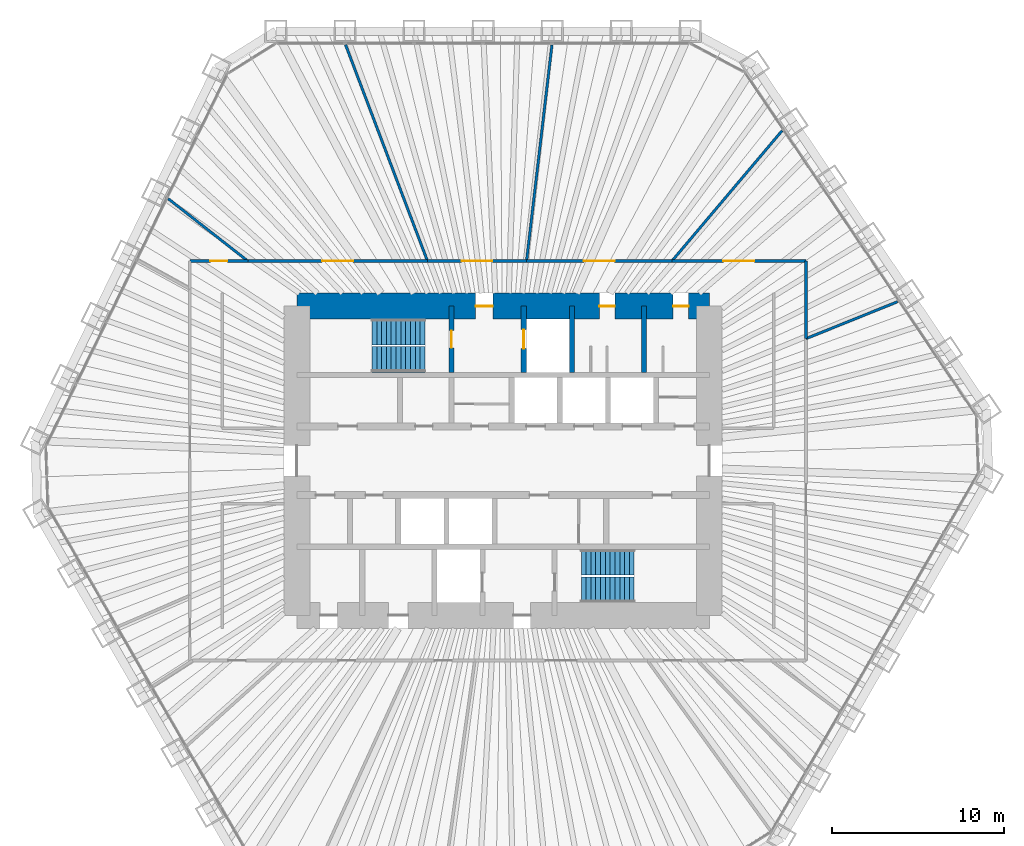
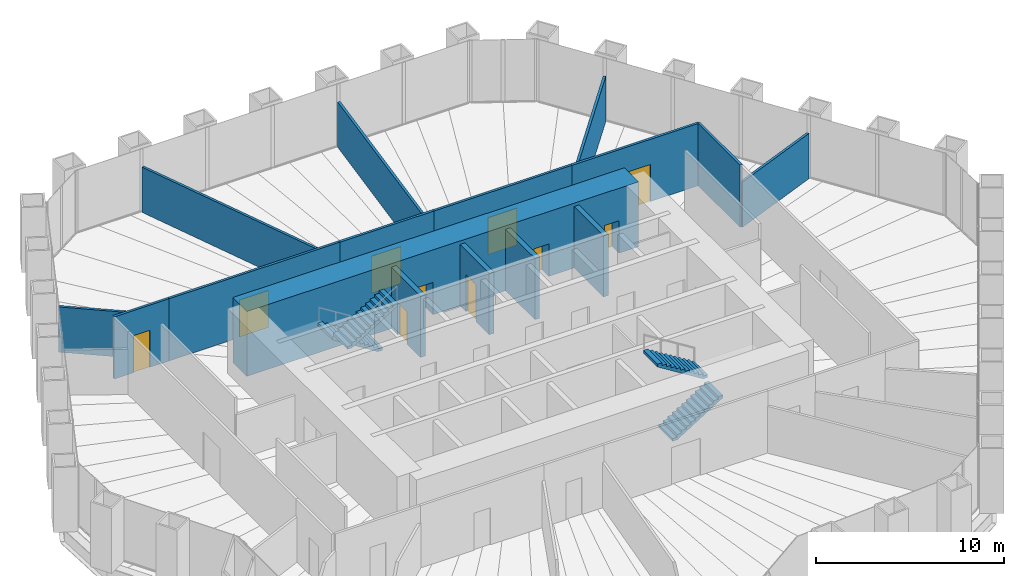
# One storey, part 12 of 13: 16 walls, 10 doors, 4 stair flights, 10 openings, 2 elements without a shape of their own.
"""IFC4 building model written with IfcOpenShell, lengths in metres."""

from ifc_helpers import new_model, si_unit, direction, frame, frame_2d, origin, place, context, subcontext, project, spatial, polyline, rectangle, outline, extrude, material, layer, layer_set, type_object, element, fill, aggregate, save


model = new_model("IFC4")

# Units and contexts
model_context = context("Model", 3, precision=1e-05, world=origin(), true_north=direction((0.0, 1.0)))
body_context = subcontext(model_context, "Body", "Model", "MODEL_VIEW")
ifc_project = project(units=[si_unit("LENGTHUNIT", "METRE"), si_unit("AREAUNIT", "SQUARE_METRE"), si_unit("VOLUMEUNIT", "CUBIC_METRE"), si_unit("PLANEANGLEUNIT", "RADIAN"), si_unit("MASSUNIT", "GRAM", prefix="KILO")], contexts=[model_context])

# Site, building, storey
site_placement = place(None, origin())
site = spatial("IfcSite", under=ifc_project, at=site_placement, CompositionType="ELEMENT")
building_placement = place(site_placement, origin())
building = spatial("IfcBuilding", under=site, at=building_placement, Name="Qingtian Harvest Tower", CompositionType="ELEMENT")
storey_placement = place(building_placement, frame((0.0, 0.0, 166.0)))
storey = spatial("IfcBuildingStorey", under=building, at=storey_placement, Name="L35", CompositionType="ELEMENT", Elevation=166.0)

# Wall, opening, door
ifc_material_1 = material(Name="Precast concrete shaft panel", Category="concrete")
ifc_layer_1 = layer(ifc_material_1, 0.300048828125)
ifc_layer_set_1 = layer_set([ifc_layer_1], Name="Core shaft partition SW1 300")
wall_type_1 = type_object("IfcWallType", Name="Core shaft partition SW1 300", PredefinedType="PARTITIONING", material=ifc_layer_set_1)
wall_1_placement = place(storey_placement, frame((-3.0, 5.14990234375, 0.0), z_axis=(0.0, 0.0, 1.0), x_axis=(0.0, 1.0, 0.0)))
wall_1 = element("IfcWall", 1, at=wall_1_placement, inside=storey, type_object=wall_type_1, Name="Core shaft partition XN1 L35", PredefinedType="PARTITIONING", context=body_context, shape_type="SweptSolid", body=[
    extrude(rectangle(XDim=3.85009765625, YDim=0.300048828125, at=frame_2d((1.925048828125, 0.0))), origin(), (0.0, 0.0, 1.0), 3.97998046875),
])
opening_1_placement = place(wall_1_placement, frame((1.425048828125, 0.0, 0.0)))
opening_1 = element("IfcOpeningElement", 2, at=opening_1_placement, cuts=wall_1, Name="Opening FD1", PredefinedType="OPENING", context=body_context, shape_type="SweptSolid", body=[
    extrude(rectangle(XDim=1.0, YDim=2.10009765625, at=frame_2d((0.5, 1.050048828125))), frame((0.0, 0.159912109375, 0.0), z_axis=(0.0, -1.0, 0.0), x_axis=(1.0, 0.0, 0.0)), (0.0, 0.0, 1.0), 0.320068359375),
])
ifc_material_2 = material(Name="Steel-faced door leaf", Category="steel")
door_type_1 = type_object("IfcDoorType", Name="Fire door FD1 single 1 HR", OperationType="SINGLE_SWING_LEFT", PredefinedType="DOOR", material=ifc_material_2)
door_1_placement = place(opening_1_placement, origin())
door_1 = element("IfcDoor", 3, at=door_1_placement, inside=storey, type_object=door_type_1, Name="S1 door L35", OperationType="SINGLE_SWING_LEFT", OverallHeight=2.10009765625, OverallWidth=1.0, PredefinedType="DOOR", context=body_context, shape_type="SweptSolid", body=[
    extrude(rectangle(XDim=1.0, YDim=2.10009765625, at=frame_2d((0.5, 1.050048828125))), frame((0.0, 0.02490234375, 0.0), z_axis=(0.0, -1.0, 0.0), x_axis=(1.0, 0.0, 0.0)), (0.0, 0.0, 1.0), 0.050048828125),
])
fill(opening_1, door_1)

wall_2_placement = place(storey_placement, frame((1.199951171875, 5.14990234375, 0.0), z_axis=(0.0, 0.0, 1.0), x_axis=(0.0, 1.0, 0.0)))
wall_2 = element("IfcWall", 4, at=wall_2_placement, inside=storey, type_object=wall_type_1, Name="Core shaft partition XN2 L35", PredefinedType="PARTITIONING", context=body_context, shape_type="SweptSolid", body=[
    extrude(rectangle(XDim=3.85009765625, YDim=0.300048828125, at=frame_2d((1.925048828125, 0.0))), origin(), (0.0, 0.0, 1.0), 3.97998046875),
])
opening_2_placement = place(wall_2_placement, frame((1.375, 0.0, 0.0)))
opening_2 = element("IfcOpeningElement", 5, at=opening_2_placement, cuts=wall_2, Name="Opening LD1", PredefinedType="OPENING", context=body_context, shape_type="SweptSolid", body=[
    extrude(rectangle(XDim=1.10009765625, YDim=2.39990234375, at=frame_2d((0.550048828125, 1.199951171875))), frame((0.0, 0.159912109375, 0.0), z_axis=(0.0, -1.0, 0.0), x_axis=(1.0, 0.0, 0.0)), (0.0, 0.0, 1.0), 0.320068359375),
])
ifc_material_3 = material(Name="Stainless steel lift landing door", Category="steel")
door_type_2 = type_object("IfcDoorType", Name="Lift landing door LD1 1 HR", OperationType="DOUBLE_DOOR_SLIDING", PredefinedType="DOOR", material=ifc_material_3)
door_2_placement = place(opening_2_placement, origin())
door_2 = element("IfcDoor", 6, at=door_2_placement, inside=storey, type_object=door_type_2, Name="FL1 landing door L35", OperationType="DOUBLE_DOOR_SLIDING", OverallHeight=2.39990234375, OverallWidth=1.10009765625, PredefinedType="DOOR", context=body_context, shape_type="SweptSolid", body=[
    extrude(rectangle(XDim=1.10009765625, YDim=2.39990234375, at=frame_2d((0.550048828125, 1.199951171875))), frame((0.0, 0.02490234375, 0.0), z_axis=(0.0, -1.0, 0.0), x_axis=(1.0, 0.0, 0.0)), (0.0, 0.0, 1.0), 0.050048828125),
])
fill(opening_2, door_2)

# Walls
for number, where, z_axis, x_axis, name in (
    (7, (4.0, 5.14990234375, 0.0), (0.0, 0.0, 1.0), (0.0, 1.0, 0.0), "Core shaft partition XN3 L35"),
    (8, (8.199951171875, 5.14990234375, 0.0), (0.0, 0.0, 1.0), (0.0, 1.0, 0.0), "Core shaft partition XN4 L35"),
):
    element("IfcWall", number, at=place(storey_placement, frame(where, z_axis=z_axis, x_axis=x_axis)), inside=storey, type_object=wall_type_1, Name=name, PredefinedType="PARTITIONING", context=body_context, shape_type="SweptSolid", body=[
        extrude(rectangle(XDim=3.85009765625, YDim=0.300048828125, at=frame_2d((1.925048828125, 0.0))), origin(), (0.0, 0.0, 1.0), 3.97998046875),
    ])

# Wall, openings, doors
ifc_material_4 = material(Name="Concrete fc' 70 MPa", Category="concrete")
ifc_layer_2 = layer(ifc_material_4, 1.5)
ifc_layer_set_2 = layer_set([ifc_layer_2], Name="Core wall RC1 1500")
wall_type_2 = type_object("IfcWallType", Name="Core wall RC1 1500", PredefinedType="SHEAR", material=ifc_layer_set_2)
wall_3_placement = place(storey_placement, frame((-12.0, 9.0, 0.0), z_axis=(0.0, 0.0, 1.0), x_axis=(1.0, 0.0, 0.0)))
wall_3 = element("IfcWall", 9, at=wall_3_placement, inside=storey, type_object=wall_type_2, Name="Core wall CN L35", PredefinedType="SHEAR", context=body_context, shape_type="SweptSolid", body=[
    extrude(rectangle(XDim=24.0, YDim=1.5, at=frame_2d((12.0, 0.0))), origin(), (0.0, 0.0, 1.0), 4.199951171875),
])
opening_3_placement = place(wall_3_placement, frame((10.39990234375, 0.0, 0.0)))
opening_3 = element("IfcOpeningElement", 10, at=opening_3_placement, cuts=wall_3, Name="Opening FD1", PredefinedType="OPENING", context=body_context, shape_type="SweptSolid", body=[
    extrude(rectangle(XDim=1.0, YDim=2.10009765625, at=frame_2d((0.5, 1.050048828125))), frame((0.0, 0.760009765625, 0.0), z_axis=(0.0, -1.0, 0.0), x_axis=(1.0, 0.0, 0.0)), (0.0, 0.0, 1.0), 1.52001953125),
])
opening_4_placement = place(wall_3_placement, frame((17.60009765625, 0.0, 0.0)))
opening_4 = element("IfcOpeningElement", 11, at=opening_4_placement, cuts=wall_3, Name="Opening D1", PredefinedType="OPENING", context=body_context, shape_type="SweptSolid", body=[
    extrude(rectangle(XDim=0.89990234375, YDim=2.10009765625, at=frame_2d((0.449951171875, 1.050048828125))), frame((0.0, 0.760009765625, 0.0), z_axis=(0.0, -1.0, 0.0), x_axis=(1.0, 0.0, 0.0)), (0.0, 0.0, 1.0), 1.52001953125),
])
opening_5_placement = place(wall_3_placement, frame((21.89990234375, 0.0, 0.0)))
opening_5 = element("IfcOpeningElement", 12, at=opening_5_placement, cuts=wall_3, Name="Opening D1", PredefinedType="OPENING", context=body_context, shape_type="SweptSolid", body=[
    extrude(rectangle(XDim=0.89990234375, YDim=2.10009765625, at=frame_2d((0.449951171875, 1.050048828125))), frame((0.0, 0.760009765625, 0.0), z_axis=(0.0, -1.0, 0.0), x_axis=(1.0, 0.0, 0.0)), (0.0, 0.0, 1.0), 1.52001953125),
])
door_3_placement = place(opening_3_placement, origin())
door_3 = element("IfcDoor", 13, at=door_3_placement, inside=storey, type_object=door_type_1, Name="V1 door L35", OperationType="SINGLE_SWING_RIGHT", OverallHeight=2.10009765625, OverallWidth=1.0, PredefinedType="DOOR", context=body_context, shape_type="SweptSolid", body=[
    extrude(rectangle(XDim=1.0, YDim=2.10009765625, at=frame_2d((0.5, 1.050048828125))), frame((0.0, 0.02490234375, 0.0), z_axis=(0.0, -1.0, 0.0), x_axis=(1.0, 0.0, 0.0)), (0.0, 0.0, 1.0), 0.050048828125),
])
fill(opening_3, door_3)
ifc_material_5 = material(Name="Laminated timber door leaf", Category="wood")
door_type_3 = type_object("IfcDoorType", Name="Toilet door D1 single", OperationType="SINGLE_SWING_LEFT", PredefinedType="DOOR", material=ifc_material_5)
door_4_placement = place(opening_4_placement, origin())
door_4 = element("IfcDoor", 14, at=door_4_placement, inside=storey, type_object=door_type_3, Name="WCM door L35", OperationType="SINGLE_SWING_LEFT", OverallHeight=2.10009765625, OverallWidth=0.89990234375, PredefinedType="DOOR", context=body_context, shape_type="SweptSolid", body=[
    extrude(rectangle(XDim=0.89990234375, YDim=2.10009765625, at=frame_2d((0.449951171875, 1.050048828125))), frame((0.0, 0.02490234375, 0.0), z_axis=(0.0, -1.0, 0.0), x_axis=(1.0, 0.0, 0.0)), (0.0, 0.0, 1.0), 0.050048828125),
])
fill(opening_4, door_4)
door_5_placement = place(opening_5_placement, origin())
door_5 = element("IfcDoor", 15, at=door_5_placement, inside=storey, type_object=door_type_3, Name="WCF door L35", OperationType="SINGLE_SWING_LEFT", OverallHeight=2.10009765625, OverallWidth=0.89990234375, PredefinedType="DOOR", context=body_context, shape_type="SweptSolid", body=[
    extrude(rectangle(XDim=0.89990234375, YDim=2.10009765625, at=frame_2d((0.449951171875, 1.050048828125))), frame((0.0, 0.02490234375, 0.0), z_axis=(0.0, -1.0, 0.0), x_axis=(1.0, 0.0, 0.0)), (0.0, 0.0, 1.0), 0.050048828125),
])
fill(opening_5, door_5)

# Wall
ifc_material_6 = material(Name="Gypsum board on steel studs", Category="steel")
ifc_layer_3 = layer(ifc_material_6, 0.14990234375)
ifc_layer_set_3 = layer_set([ifc_layer_3], Name="Partition PT1 150")
wall_type_3 = type_object("IfcWallType", Name="Partition PT1 150", PredefinedType="PARTITIONING", material=ifc_layer_set_3)
wall_4_placement = place(storey_placement, frame((2.843017578125, 24.20068359375, 0.0), z_axis=(0.0, 0.0, 1.0), x_axis=(-0.116670084723, -0.993170726175, 0.0)))
element("IfcWall", 16, at=wall_4_placement, inside=storey, type_object=wall_type_3, Name="Meeting room wall L35", PredefinedType="PARTITIONING", context=body_context, shape_type="SweptSolid", body=[
    extrude(rectangle(XDim=12.662109375, YDim=0.14990234375, at=frame_2d((6.3310546875, 0.0))), origin(), (0.0, 0.0, 1.0), 2.929931640625),
])

# Wall, opening, door
wall_5_placement = place(storey_placement, frame((1.36572265625, 11.625, 0.0), z_axis=(0.0, 0.0, 1.0), x_axis=(1.0, 0.0, 0.0)))
wall_5 = element("IfcWall", 17, at=wall_5_placement, inside=storey, type_object=wall_type_3, Name="Meeting room wall L35", PredefinedType="PARTITIONING", context=body_context, shape_type="SweptSolid", body=[
    extrude(rectangle(XDim=8.460205078125, YDim=0.14990234375, at=frame_2d((4.22998046875, 0.0))), origin(), (0.0, 0.0, 1.0), 4.030029296875),
])
opening_6_placement = place(wall_5_placement, frame((3.330078125, 0.0, 0.0)))
opening_6 = element("IfcOpeningElement", 18, at=opening_6_placement, cuts=wall_5, Name="Opening D3", PredefinedType="OPENING", context=body_context, shape_type="SweptSolid", body=[
    extrude(rectangle(XDim=1.800048828125, YDim=2.39990234375, at=frame_2d((0.89990234375, 1.199951171875))), frame((0.0, 0.0849609375, 0.0), z_axis=(0.0, -1.0, 0.0), x_axis=(1.0, 0.0, 0.0)), (0.0, 0.0, 1.0), 0.169921875),
])
ifc_material_7 = material(Name="Laminated timber door leaf", Category="wood")
door_type_4 = type_object("IfcDoorType", Name="Room door D3 double", OperationType="DOUBLE_DOOR_DOUBLE_SWING", PredefinedType="DOOR", material=ifc_material_7)
door_6_placement = place(opening_6_placement, origin())
door_6 = element("IfcDoor", 19, at=door_6_placement, inside=storey, type_object=door_type_4, Name="Meeting room door L35", OperationType="DOUBLE_DOOR_DOUBLE_SWING", OverallHeight=2.39990234375, OverallWidth=1.800048828125, PredefinedType="DOOR", context=body_context, shape_type="SweptSolid", body=[
    extrude(rectangle(XDim=1.800048828125, YDim=2.39990234375, at=frame_2d((0.89990234375, 1.199951171875))), frame((0.0, 0.02490234375, 0.0), z_axis=(0.0, -1.0, 0.0), x_axis=(1.0, 0.0, 0.0)), (0.0, 0.0, 1.0), 0.050048828125),
])
fill(opening_6, door_6)

# Wall
wall_6_placement = place(storey_placement, frame((16.2373046875, 19.21044921875, 0.0), z_axis=(0.0, 0.0, 1.0), x_axis=(-0.645526723652, -0.763737683404, 0.0)))
element("IfcWall", 20, at=wall_6_placement, inside=storey, type_object=wall_type_3, Name="Meeting room wall L35", PredefinedType="PARTITIONING", context=body_context, shape_type="SweptSolid", body=[
    extrude(rectangle(XDim=9.93212890625, YDim=0.14990234375, at=frame_2d((4.966064453125, 0.0))), origin(), (0.0, 0.0, 1.0), 2.929931640625),
])

# Wall, opening, door
wall_7_placement = place(storey_placement, frame((9.825927734375, 11.625, 0.0), z_axis=(0.0, 0.0, 1.0), x_axis=(1.0, 0.0, 0.0)))
wall_7 = element("IfcWall", 21, at=wall_7_placement, inside=storey, type_object=wall_type_3, Name="Meeting room wall L35", PredefinedType="PARTITIONING", context=body_context, shape_type="SweptSolid", body=[
    extrude(rectangle(XDim=7.799072265625, YDim=0.14990234375, at=frame_2d((3.8994140625, 0.0))), origin(), (0.0, 0.0, 1.0), 4.030029296875),
])
opening_7_placement = place(wall_7_placement, frame((2.99951171875, 0.0, 0.0)))
opening_7 = element("IfcOpeningElement", 22, at=opening_7_placement, cuts=wall_7, Name="Opening D3", PredefinedType="OPENING", context=body_context, shape_type="SweptSolid", body=[
    extrude(rectangle(XDim=1.800048828125, YDim=2.39990234375, at=frame_2d((0.89990234375, 1.199951171875))), frame((0.0, 0.0849609375, 0.0), z_axis=(0.0, -1.0, 0.0), x_axis=(1.0, 0.0, 0.0)), (0.0, 0.0, 1.0), 0.169921875),
])
door_7_placement = place(opening_7_placement, origin())
door_7 = element("IfcDoor", 23, at=door_7_placement, inside=storey, type_object=door_type_4, Name="Meeting room door L35", OperationType="DOUBLE_DOOR_DOUBLE_SWING", OverallHeight=2.39990234375, OverallWidth=1.800048828125, PredefinedType="DOOR", context=body_context, shape_type="SweptSolid", body=[
    extrude(rectangle(XDim=1.800048828125, YDim=2.39990234375, at=frame_2d((0.89990234375, 1.199951171875))), frame((0.0, 0.02490234375, 0.0), z_axis=(0.0, -1.0, 0.0), x_axis=(1.0, 0.0, 0.0)), (0.0, 0.0, 1.0), 0.050048828125),
])
fill(opening_7, door_7)

# Walls
wall_8_placement = place(storey_placement, frame((17.625, 11.625, 0.0), z_axis=(0.0, 0.0, 1.0), x_axis=(0.0, -1.0, 0.0)))
element("IfcWall", 24, at=wall_8_placement, inside=storey, type_object=wall_type_3, Name="Meeting room wall L35", PredefinedType="PARTITIONING", context=body_context, shape_type="SweptSolid", body=[
    extrude(rectangle(XDim=4.51904296875, YDim=0.14990234375, at=frame_2d((2.259521484375, 0.0))), origin(), (0.0, 0.0, 1.0), 4.030029296875),
])
wall_9_placement = place(storey_placement, frame((22.951416015625, 9.253662109375, 0.0), z_axis=(0.0, 0.0, 1.0), x_axis=(-0.927444087873, -0.373961848147, 0.0)))
element("IfcWall", 25, at=wall_9_placement, inside=storey, type_object=wall_type_3, Name="Office suite wall L35", PredefinedType="PARTITIONING", context=body_context, shape_type="SweptSolid", body=[
    extrude(rectangle(XDim=5.7431640625, YDim=0.14990234375, at=frame_2d((2.87158203125, 0.0))), origin(), (0.0, 0.0, 1.0), 2.929931640625),
])

# Wall, opening, door
wall_10_placement = place(storey_placement, frame((-18.22509765625, 11.625, 0.0), z_axis=(0.0, 0.0, 1.0), x_axis=(1.0, 0.0, 0.0)))
wall_10 = element("IfcWall", 26, at=wall_10_placement, inside=storey, type_object=wall_type_3, Name="Store room wall L35", PredefinedType="PARTITIONING", context=body_context, shape_type="SweptSolid", body=[
    extrude(rectangle(XDim=3.367919921875, YDim=0.14990234375, at=frame_2d((1.68408203125, 0.0))), origin(), (0.0, 0.0, 1.0), 4.030029296875),
])
opening_8_placement = place(wall_10_placement, frame((1.18408203125, 0.0, 0.0)))
opening_8 = element("IfcOpeningElement", 27, at=opening_8_placement, cuts=wall_10, Name="Opening D2", PredefinedType="OPENING", context=body_context, shape_type="SweptSolid", body=[
    extrude(rectangle(XDim=1.0, YDim=2.39990234375, at=frame_2d((0.5, 1.199951171875))), frame((0.0, 0.0849609375, 0.0), z_axis=(0.0, -1.0, 0.0), x_axis=(1.0, 0.0, 0.0)), (0.0, 0.0, 1.0), 0.169921875),
])
ifc_material_8 = material(Name="Laminated timber door leaf", Category="wood")
door_type_5 = type_object("IfcDoorType", Name="Room door D2 single", OperationType="SINGLE_SWING_LEFT", PredefinedType="DOOR", material=ifc_material_8)
door_8_placement = place(opening_8_placement, origin())
door_8 = element("IfcDoor", 28, at=door_8_placement, inside=storey, type_object=door_type_5, Name="Store room door L35", OperationType="SINGLE_SWING_LEFT", OverallHeight=2.39990234375, OverallWidth=1.0, PredefinedType="DOOR", context=body_context, shape_type="SweptSolid", body=[
    extrude(rectangle(XDim=1.0, YDim=2.39990234375, at=frame_2d((0.5, 1.199951171875))), frame((0.0, 0.02490234375, 0.0), z_axis=(0.0, -1.0, 0.0), x_axis=(1.0, 0.0, 0.0)), (0.0, 0.0, 1.0), 0.050048828125),
])
fill(opening_8, door_8)

# Wall
wall_11_placement = place(storey_placement, frame((-19.489501953125, 15.249755859375, 0.0), z_axis=(0.0, 0.0, 1.0), x_axis=(0.787549668605, -0.616251182133, 0.0)))
element("IfcWall", 29, at=wall_11_placement, inside=storey, type_object=wall_type_3, Name="Office suite wall L35", PredefinedType="PARTITIONING", context=body_context, shape_type="SweptSolid", body=[
    extrude(rectangle(XDim=5.8818359375, YDim=0.14990234375, at=frame_2d((2.94091796875, 0.0))), origin(), (0.0, 0.0, 1.0), 2.929931640625),
])

# Wall, opening, door
wall_12_placement = place(storey_placement, frame((-14.857177734375, 11.625, 0.0), z_axis=(0.0, 0.0, 1.0), x_axis=(1.0, 0.0, 0.0)))
wall_12 = element("IfcWall", 30, at=wall_12_placement, inside=storey, type_object=wall_type_3, Name="Office suite wall L35", PredefinedType="PARTITIONING", context=body_context, shape_type="SweptSolid", body=[
    extrude(rectangle(XDim=10.45458984375, YDim=0.14990234375, at=frame_2d((5.227294921875, 0.0))), origin(), (0.0, 0.0, 1.0), 4.030029296875),
])
opening_9_placement = place(wall_12_placement, frame((4.327392578125, 0.0, 0.0)))
opening_9 = element("IfcOpeningElement", 31, at=opening_9_placement, cuts=wall_12, Name="Opening D3", PredefinedType="OPENING", context=body_context, shape_type="SweptSolid", body=[
    extrude(rectangle(XDim=1.800048828125, YDim=2.39990234375, at=frame_2d((0.89990234375, 1.199951171875))), frame((0.0, 0.0849609375, 0.0), z_axis=(0.0, -1.0, 0.0), x_axis=(1.0, 0.0, 0.0)), (0.0, 0.0, 1.0), 0.169921875),
])
door_9_placement = place(opening_9_placement, origin())
door_9 = element("IfcDoor", 32, at=door_9_placement, inside=storey, type_object=door_type_4, Name="Office suite door L35", OperationType="DOUBLE_DOOR_DOUBLE_SWING", OverallHeight=2.39990234375, OverallWidth=1.800048828125, PredefinedType="DOOR", context=body_context, shape_type="SweptSolid", body=[
    extrude(rectangle(XDim=1.800048828125, YDim=2.39990234375, at=frame_2d((0.89990234375, 1.199951171875))), frame((0.0, 0.02490234375, 0.0), z_axis=(0.0, -1.0, 0.0), x_axis=(1.0, 0.0, 0.0)), (0.0, 0.0, 1.0), 0.050048828125),
])
fill(opening_9, door_9)

# Wall
wall_13_placement = place(storey_placement, frame((-9.167236328125, 24.20654296875, 0.0), z_axis=(0.0, 0.0, 1.0), x_axis=(0.354156368181, -0.935186220427, 0.0)))
element("IfcWall", 33, at=wall_13_placement, inside=storey, type_object=wall_type_3, Name="Office suite wall L35", PredefinedType="PARTITIONING", context=body_context, shape_type="SweptSolid", body=[
    extrude(rectangle(XDim=13.45361328125, YDim=0.14990234375, at=frame_2d((6.726806640625, 0.0))), origin(), (0.0, 0.0, 1.0), 2.929931640625),
])

# Wall, opening, door
wall_14_placement = place(storey_placement, frame((-4.402587890625, 11.625, 0.0), z_axis=(0.0, 0.0, 1.0), x_axis=(1.0, 0.0, 0.0)))
wall_14 = element("IfcWall", 34, at=wall_14_placement, inside=storey, type_object=wall_type_3, Name="Office suite wall L35", PredefinedType="PARTITIONING", context=body_context, shape_type="SweptSolid", body=[
    extrude(rectangle(XDim=5.768310546875, YDim=0.14990234375, at=frame_2d((2.88427734375, 0.0))), origin(), (0.0, 0.0, 1.0), 4.030029296875),
])
opening_10_placement = place(wall_14_placement, frame((1.984130859375, 0.0, 0.0)))
opening_10 = element("IfcOpeningElement", 35, at=opening_10_placement, cuts=wall_14, Name="Opening D3", PredefinedType="OPENING", context=body_context, shape_type="SweptSolid", body=[
    extrude(rectangle(XDim=1.800048828125, YDim=2.39990234375, at=frame_2d((0.89990234375, 1.199951171875))), frame((0.0, 0.0849609375, 0.0), z_axis=(0.0, -1.0, 0.0), x_axis=(1.0, 0.0, 0.0)), (0.0, 0.0, 1.0), 0.169921875),
])
door_10_placement = place(opening_10_placement, origin())
door_10 = element("IfcDoor", 36, at=door_10_placement, inside=storey, type_object=door_type_4, Name="Office suite door L35", OperationType="DOUBLE_DOOR_DOUBLE_SWING", OverallHeight=2.39990234375, OverallWidth=1.800048828125, PredefinedType="DOOR", context=body_context, shape_type="SweptSolid", body=[
    extrude(rectangle(XDim=1.800048828125, YDim=2.39990234375, at=frame_2d((0.89990234375, 1.199951171875))), frame((0.0, 0.02490234375, 0.0), z_axis=(0.0, -1.0, 0.0), x_axis=(1.0, 0.0, 0.0)), (0.0, 0.0, 1.0), 0.050048828125),
])
fill(opening_10, door_10)

# Stair, stair flights
ifc_material_9 = material(Name="Concrete fc' 35 MPa", Category="concrete")
stair_type = type_object("IfcStairType", Name="Special stair ST3 4200", PredefinedType="HALF_TURN_STAIR", material=ifc_material_9)
stair_1_placement = place(storey_placement, origin())
stair_1 = element("IfcStair", 37, at=stair_1_placement, inside=storey, type_object=stair_type, Name="Special stair S1 L35", PredefinedType="HALF_TURN_STAIR")
ifc_material_10 = material(Name="Concrete fc' 35 MPa", Category="concrete")
stair_flight_type = type_object("IfcStairFlightType", Name="Stair flight SF3 4200", PredefinedType="STRAIGHT", material=ifc_material_10)
stair_flight_1_placement = place(storey_placement, frame((-4.550048828125, 7.5, 0.0), z_axis=(0.0, 0.0, 1.0), x_axis=(-1.0, 0.0, 0.0)))
stair_flight_1 = element("IfcStairFlight", 38, at=stair_flight_1_placement, type_object=stair_flight_type, Name="S1 flight 1", NumberOfRisers=12, NumberOfTreads=11, PredefinedType="STRAIGHT", RiserHeight=0.175, TreadLength=0.28, context=body_context, shape_type="SweptSolid", body=[
    extrude(outline(polyline([(0.0, 0.0), (0.0, 0.175048828125), (0.280029296875, 0.175048828125), (0.280029296875, 0.35009765625), (0.56005859375, 0.35009765625), (0.56005859375, 0.52490234375), (0.840087890625, 0.52490234375), (0.840087890625, 0.699951171875), (1.1201171875, 0.699951171875), (1.1201171875, 0.875), (1.39990234375, 0.875), (1.39990234375, 1.050048828125), (1.679931640625, 1.050048828125), (1.679931640625, 1.22509765625), (1.9599609375, 1.22509765625), (1.9599609375, 1.39990234375), (2.239990234375, 1.39990234375), (2.239990234375, 1.574951171875), (2.52001953125, 1.574951171875), (2.52001953125, 1.75), (2.800048828125, 1.75), (2.800048828125, 1.925048828125), (3.080078125, 1.925048828125), (3.080078125, 2.10009765625), (3.080078125, 1.748291015625), (0.28271484375, 0.0), (0.0, 0.0)])), frame((0.0, 0.75, 0.0), z_axis=(0.0, -1.0, 0.0), x_axis=(1.0, 0.0, 0.0)), (0.0, 0.0, 1.0), 1.5),
])
stair_flight_2_placement = place(storey_placement, frame((-7.6298828125, 5.89990234375, 2.10009765625), z_axis=(0.0, 0.0, 1.0), x_axis=(1.0, 0.0, 0.0)))
stair_flight_2 = element("IfcStairFlight", 39, at=stair_flight_2_placement, type_object=stair_flight_type, Name="S1 flight 2", NumberOfRisers=12, NumberOfTreads=11, PredefinedType="STRAIGHT", RiserHeight=0.175, TreadLength=0.28, context=body_context, shape_type="SweptSolid", body=[
    extrude(outline(polyline([(0.0, 0.0), (0.0, 0.175048828125), (0.280029296875, 0.175048828125), (0.280029296875, 0.35009765625), (0.56005859375, 0.35009765625), (0.56005859375, 0.52490234375), (0.840087890625, 0.52490234375), (0.840087890625, 0.699951171875), (1.1201171875, 0.699951171875), (1.1201171875, 0.875), (1.39990234375, 0.875), (1.39990234375, 1.050048828125), (1.679931640625, 1.050048828125), (1.679931640625, 1.22509765625), (1.9599609375, 1.22509765625), (1.9599609375, 1.39990234375), (2.239990234375, 1.39990234375), (2.239990234375, 1.574951171875), (2.52001953125, 1.574951171875), (2.52001953125, 1.75), (2.800048828125, 1.75), (2.800048828125, 1.925048828125), (3.080078125, 1.925048828125), (3.080078125, 2.10009765625), (3.080078125, 1.748291015625), (0.28271484375, 0.0), (0.0, 0.0)])), frame((0.0, 0.75, 0.0), z_axis=(0.0, -1.0, 0.0), x_axis=(1.0, 0.0, 0.0)), (0.0, 0.0, 1.0), 1.5),
])
aggregate(stair_1, [stair_flight_1, stair_flight_2])

stair_2_placement = place(storey_placement, origin())
stair_2 = element("IfcStair", 40, at=stair_2_placement, inside=storey, type_object=stair_type, Name="Special stair S2 L35", PredefinedType="HALF_TURN_STAIR")
stair_flight_3_placement = place(storey_placement, frame((4.550048828125, -7.5, 0.0), z_axis=(0.0, 0.0, 1.0), x_axis=(1.0, 0.0, 0.0)))
stair_flight_3 = element("IfcStairFlight", 41, at=stair_flight_3_placement, type_object=stair_flight_type, Name="S2 flight 1", NumberOfRisers=12, NumberOfTreads=11, PredefinedType="STRAIGHT", RiserHeight=0.175, TreadLength=0.28, context=body_context, shape_type="SweptSolid", body=[
    extrude(outline(polyline([(0.0, 0.0), (0.0, 0.175048828125), (0.280029296875, 0.175048828125), (0.280029296875, 0.35009765625), (0.56005859375, 0.35009765625), (0.56005859375, 0.52490234375), (0.840087890625, 0.52490234375), (0.840087890625, 0.699951171875), (1.1201171875, 0.699951171875), (1.1201171875, 0.875), (1.39990234375, 0.875), (1.39990234375, 1.050048828125), (1.679931640625, 1.050048828125), (1.679931640625, 1.22509765625), (1.9599609375, 1.22509765625), (1.9599609375, 1.39990234375), (2.239990234375, 1.39990234375), (2.239990234375, 1.574951171875), (2.52001953125, 1.574951171875), (2.52001953125, 1.75), (2.800048828125, 1.75), (2.800048828125, 1.925048828125), (3.080078125, 1.925048828125), (3.080078125, 2.10009765625), (3.080078125, 1.748291015625), (0.28271484375, 0.0), (0.0, 0.0)])), frame((0.0, 0.75, 0.0), z_axis=(0.0, -1.0, 0.0), x_axis=(1.0, 0.0, 0.0)), (0.0, 0.0, 1.0), 1.5),
])
stair_flight_4_placement = place(storey_placement, frame((7.6298828125, -5.89990234375, 2.10009765625), z_axis=(0.0, 0.0, 1.0), x_axis=(-1.0, 0.0, 0.0)))
stair_flight_4 = element("IfcStairFlight", 42, at=stair_flight_4_placement, type_object=stair_flight_type, Name="S2 flight 2", NumberOfRisers=12, NumberOfTreads=11, PredefinedType="STRAIGHT", RiserHeight=0.175, TreadLength=0.28, context=body_context, shape_type="SweptSolid", body=[
    extrude(outline(polyline([(0.0, 0.0), (0.0, 0.175048828125), (0.280029296875, 0.175048828125), (0.280029296875, 0.35009765625), (0.56005859375, 0.35009765625), (0.56005859375, 0.52490234375), (0.840087890625, 0.52490234375), (0.840087890625, 0.699951171875), (1.1201171875, 0.699951171875), (1.1201171875, 0.875), (1.39990234375, 0.875), (1.39990234375, 1.050048828125), (1.679931640625, 1.050048828125), (1.679931640625, 1.22509765625), (1.9599609375, 1.22509765625), (1.9599609375, 1.39990234375), (2.239990234375, 1.39990234375), (2.239990234375, 1.574951171875), (2.52001953125, 1.574951171875), (2.52001953125, 1.75), (2.800048828125, 1.75), (2.800048828125, 1.925048828125), (3.080078125, 1.925048828125), (3.080078125, 2.10009765625), (3.080078125, 1.748291015625), (0.28271484375, 0.0), (0.0, 0.0)])), frame((0.0, 0.75, 0.0), z_axis=(0.0, -1.0, 0.0), x_axis=(1.0, 0.0, 0.0)), (0.0, 0.0, 1.0), 1.5),
])
aggregate(stair_2, [stair_flight_3, stair_flight_4])

save(model, "model.ifc")
